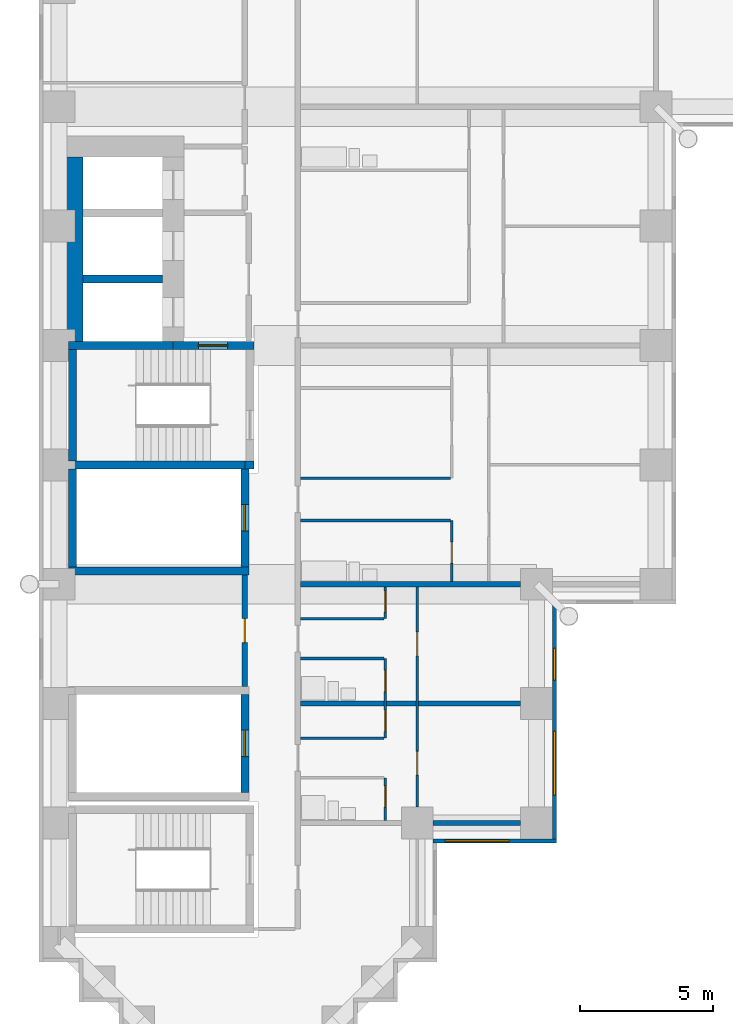
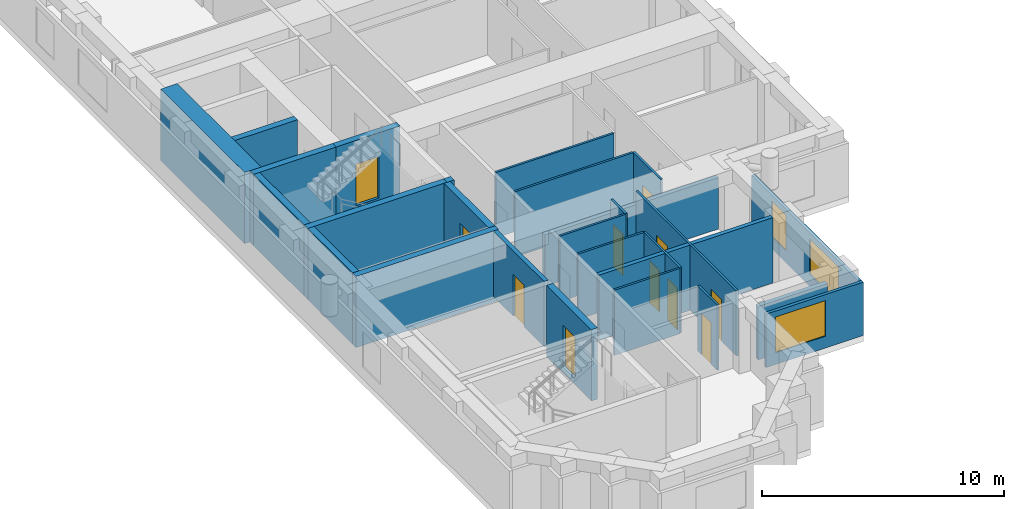
# One storey, part 4 of 14: 27 walls, 11 doors, 3 windows, 14 openings.
"""IFC4 building model written with IfcOpenShell, lengths in metres."""

from ifc_helpers import new_model, si_unit, direction, frame, frame_2d, origin, place, context, subcontext, project, spatial, rectangle, extrude, material, layer, layer_set, type_object, element, fill, save


model = new_model("IFC4")

# Units and contexts
model_context = context("Model", 3, precision=1e-05, world=origin(), true_north=direction((0.0, 1.0)))
body_context = subcontext(model_context, "Body", "Model", "MODEL_VIEW")
ifc_project = project(units=[si_unit("LENGTHUNIT", "METRE"), si_unit("AREAUNIT", "SQUARE_METRE"), si_unit("VOLUMEUNIT", "CUBIC_METRE"), si_unit("PLANEANGLEUNIT", "RADIAN"), si_unit("MASSUNIT", "GRAM", prefix="KILO")], contexts=[model_context])

# Site, building, storey
site_placement = place(None, origin())
site = spatial("IfcSite", under=ifc_project, at=site_placement, CompositionType="ELEMENT")
building_placement = place(site_placement, origin())
building = spatial("IfcBuilding", under=site, at=building_placement, Name="Firuza Court", CompositionType="ELEMENT")
storey_placement = place(building_placement, frame((0.0, 0.0, 68.60009765625)))
storey = spatial("IfcBuildingStorey", under=building, at=storey_placement, Name="L16", CompositionType="ELEMENT", Elevation=68.60009765625)

# Walls
ifc_material_1 = material(Name="Moisture-resistant gypsum board partition")
ifc_layer_1 = layer(ifc_material_1, 0.10009765625)
ifc_layer_set_1 = layer_set([ifc_layer_1], Name="Moisture-resistant gypsum board partition")
wall_type_1 = type_object("IfcWallType", Name="Bathroom partition 100", PredefinedType="PLUMBINGWALL", material=ifc_layer_set_1)
wall_1_placement = place(storey_placement, frame((9.10009765625, 15.199951171875, 0.0), z_axis=(0.0, 0.0, 1.0), x_axis=(1.0, 0.0, 0.0)))
element("IfcWall", 1, at=wall_1_placement, inside=storey, type_object=wall_type_1, Name="Bathroom partition 100 L16", PredefinedType="PLUMBINGWALL", context=body_context, shape_type="SweptSolid", body=[
    extrude(rectangle(XDim=3.14990234375, YDim=0.10009765625, at=frame_2d((1.574951171875, 0.0))), origin(), (0.0, 0.0, 1.0), 3.2998046875),
])
wall_2_placement = place(storey_placement, frame((9.10009765625, 20.39990234375, 0.0), z_axis=(0.0, 0.0, 1.0), x_axis=(1.0, 0.0, 0.0)))
element("IfcWall", 2, at=wall_2_placement, inside=storey, type_object=wall_type_1, Name="Bathroom partition 100 L16", PredefinedType="PLUMBINGWALL", context=body_context, shape_type="SweptSolid", body=[
    extrude(rectangle(XDim=5.64990234375, YDim=0.10009765625, at=frame_2d((2.824951171875, 0.0))), origin(), (0.0, 0.0, 1.0), 3.2998046875),
])
ifc_material_2 = material(Name="Concrete C60/75", Category="concrete")
ifc_layer_2 = layer(ifc_material_2, 0.300048828125)
ifc_layer_set_2 = layer_set([ifc_layer_2], Name="Concrete C60/75")
wall_type_2 = type_object("IfcWallType", Name="Core wall 300 C60/75", PredefinedType="SHEAR", material=ifc_layer_set_2)
wall_3_placement = place(storey_placement, frame((0.35009765625, 18.5, -0.300048828125), z_axis=(0.0, 0.0, 1.0), x_axis=(1.0, 0.0, 0.0)))
element("IfcWall", 3, at=wall_3_placement, inside=storey, type_object=wall_type_2, Name="Core wall riser L16", PredefinedType="SHEAR", context=body_context, shape_type="SweptSolid", body=[
    extrude(rectangle(XDim=6.7998046875, YDim=0.300048828125, at=frame_2d((3.39990234375, 0.0))), origin(), (0.0, 0.0, 1.0), 3.599853515625),
])
wall_4_placement = place(storey_placement, frame((0.35009765625, 22.5, -0.300048828125), z_axis=(0.0, 0.0, 1.0), x_axis=(1.0, 0.0, 0.0)))
element("IfcWall", 4, at=wall_4_placement, inside=storey, type_object=wall_type_2, Name="Core wall riser L16", PredefinedType="SHEAR", context=body_context, shape_type="SweptSolid", body=[
    extrude(rectangle(XDim=6.64990234375, YDim=0.300048828125, at=frame_2d((3.324951171875, 0.0))), origin(), (0.0, 0.0, 1.0), 3.599853515625),
])
wall_5_placement = place(storey_placement, frame((0.35009765625, 27.0, -0.300048828125), z_axis=(0.0, 0.0, 1.0), x_axis=(1.0, 0.0, 0.0)))
element("IfcWall", 5, at=wall_5_placement, inside=storey, type_object=wall_type_2, Name="Core wall lift shaft L16", PredefinedType="SHEAR", context=body_context, shape_type="SweptSolid", body=[
    extrude(rectangle(XDim=3.949951171875, YDim=0.300048828125, at=frame_2d((1.97509765625, 0.0))), origin(), (0.0, 0.0, 1.0), 3.599853515625),
])
wall_6_placement = place(storey_placement, frame((0.5, 18.64990234375, -0.300048828125), z_axis=(0.0, 0.0, 1.0), x_axis=(0.0, 1.0, 0.0)))
element("IfcWall", 6, at=wall_6_placement, inside=storey, type_object=wall_type_2, Name="Core wall riser L16", PredefinedType="SHEAR", context=body_context, shape_type="SweptSolid", body=[
    extrude(rectangle(XDim=3.7001953125, YDim=0.300048828125, at=frame_2d((1.85009765625, 0.0))), origin(), (0.0, 0.0, 1.0), 3.599853515625),
])
wall_7_placement = place(storey_placement, frame((0.5, 22.64990234375, -0.300048828125), z_axis=(0.0, 0.0, 1.0), x_axis=(0.0, 1.0, 0.0)))
element("IfcWall", 7, at=wall_7_placement, inside=storey, type_object=wall_type_2, Name="Core wall stair L16", PredefinedType="SHEAR", context=body_context, shape_type="SweptSolid", body=[
    extrude(rectangle(XDim=4.2001953125, YDim=0.300048828125, at=frame_2d((2.10009765625, 0.0))), origin(), (0.0, 0.0, 1.0), 3.599853515625),
])
wall_8_placement = place(storey_placement, frame((0.89990234375, 29.5, -0.300048828125), z_axis=(0.0, 0.0, 1.0), x_axis=(1.0, 0.0, 0.0)))
element("IfcWall", 8, at=wall_8_placement, inside=storey, type_object=wall_type_2, Name="Core wall lift shaft L16", PredefinedType="SHEAR", context=body_context, shape_type="SweptSolid", body=[
    extrude(rectangle(XDim=3.0, YDim=0.300048828125, at=frame_2d((1.5, 0.0))), origin(), (0.0, 0.0, 1.0), 3.599853515625),
])

# Wall, opening, door
wall_9_placement = place(storey_placement, frame((4.300048828125, 27.0, -0.300048828125), z_axis=(0.0, 0.0, 1.0), x_axis=(1.0, 0.0, 0.0)))
wall_9 = element("IfcWall", 9, at=wall_9_placement, inside=storey, type_object=wall_type_2, Name="Core wall stair L16", PredefinedType="SHEAR", context=body_context, shape_type="SweptSolid", body=[
    extrude(rectangle(XDim=3.050048828125, YDim=0.300048828125, at=frame_2d((1.52490234375, 0.0))), origin(), (0.0, 0.0, 1.0), 3.599853515625),
])
opening_1_placement = place(wall_9_placement, frame((0.949951171875, 0.0, 0.300048828125)))
opening_1 = element("IfcOpeningElement", 10, at=opening_1_placement, cuts=wall_9, Name="Opening D16014", PredefinedType="OPENING", context=body_context, shape_type="SweptSolid", body=[
    extrude(rectangle(XDim=1.10009765625, YDim=2.10009765625, at=frame_2d((0.550048828125, 1.050048828125))), frame((0.0, 0.162109375, 0.0), z_axis=(0.0, -1.0, 0.0), x_axis=(1.0, 0.0, 0.0)), (0.0, 0.0, 1.0), 0.323974609375),
])
ifc_material_3 = material(Name="Timber door leaf in hardwood frame", Category="wood")
door_type_1 = type_object("IfcDoorType", Name="Stair door 1100", OperationType="SINGLE_SWING_LEFT", PredefinedType="DOOR", material=ifc_material_3)
door_1_placement = place(opening_1_placement, frame((1.10009765625, 0.0, 0.0), z_axis=(0.0, 0.0, 1.0), x_axis=(-1.0, 0.0, 0.0)))
door_1 = element("IfcDoor", 11, at=door_1_placement, inside=storey, type_object=door_type_1, Name="Fire-fighting lobby door", OperationType="SINGLE_SWING_LEFT", OverallHeight=2.10009765625, OverallWidth=1.10009765625, PredefinedType="DOOR", context=body_context, shape_type="SweptSolid", body=[
    extrude(rectangle(XDim=1.10009765625, YDim=2.10009765625, at=frame_2d((0.550048828125, 1.050048828125))), frame((0.0, 0.02490234375, 0.0), z_axis=(0.0, -1.0, 0.0), x_axis=(1.0, 0.0, 0.0)), (0.0, 0.0, 1.0), 0.050048828125),
])
fill(opening_1, door_1)

wall_10_placement = place(storey_placement, frame((7.0, 10.14990234375, -0.300048828125), z_axis=(0.0, 0.0, 1.0), x_axis=(0.0, 1.0, 0.0)))
wall_10 = element("IfcWall", 12, at=wall_10_placement, inside=storey, type_object=wall_type_2, Name="Core wall riser L16", PredefinedType="SHEAR", context=body_context, shape_type="SweptSolid", body=[
    extrude(rectangle(XDim=3.7001953125, YDim=0.300048828125, at=frame_2d((1.85009765625, 0.0))), origin(), (0.0, 0.0, 1.0), 3.599853515625),
])
opening_2_placement = place(wall_10_placement, frame((1.35009765625, 0.0, 0.300048828125)))
opening_2 = element("IfcOpeningElement", 13, at=opening_2_placement, cuts=wall_10, Name="Opening D16012", PredefinedType="OPENING", context=body_context, shape_type="SweptSolid", body=[
    extrude(rectangle(XDim=1.0, YDim=2.10009765625, at=frame_2d((0.5, 1.050048828125))), frame((0.0, 0.162109375, 0.0), z_axis=(0.0, -1.0, 0.0), x_axis=(1.0, 0.0, 0.0)), (0.0, 0.0, 1.0), 0.323974609375),
])
ifc_material_4 = material(Name="Timber door leaf in hardwood frame", Category="wood")
door_type_2 = type_object("IfcDoorType", Name="Riser door 1000", OperationType="SINGLE_SWING_LEFT", PredefinedType="DOOR", material=ifc_material_4)
door_2_placement = place(opening_2_placement, origin())
door_2 = element("IfcDoor", 14, at=door_2_placement, inside=storey, type_object=door_type_2, Name="Riser door R4", OperationType="SINGLE_SWING_LEFT", OverallHeight=2.10009765625, OverallWidth=1.0, PredefinedType="DOOR", context=body_context, shape_type="SweptSolid", body=[
    extrude(rectangle(XDim=1.0, YDim=2.10009765625, at=frame_2d((0.5, 1.050048828125))), frame((0.0, 0.02490234375, 0.0), z_axis=(0.0, -1.0, 0.0), x_axis=(1.0, 0.0, 0.0)), (0.0, 0.0, 1.0), 0.050048828125),
])
fill(opening_2, door_2)

wall_11_placement = place(storey_placement, frame((7.0, 18.64990234375, -0.300048828125), z_axis=(0.0, 0.0, 1.0), x_axis=(0.0, 1.0, 0.0)))
wall_11 = element("IfcWall", 15, at=wall_11_placement, inside=storey, type_object=wall_type_2, Name="Core wall riser L16", PredefinedType="SHEAR", context=body_context, shape_type="SweptSolid", body=[
    extrude(rectangle(XDim=3.7001953125, YDim=0.300048828125, at=frame_2d((1.85009765625, 0.0))), origin(), (0.0, 0.0, 1.0), 3.599853515625),
])
opening_3_placement = place(wall_11_placement, frame((1.35009765625, 0.0, 0.300048828125)))
opening_3 = element("IfcOpeningElement", 16, at=opening_3_placement, cuts=wall_11, Name="Opening D16010", PredefinedType="OPENING", context=body_context, shape_type="SweptSolid", body=[
    extrude(rectangle(XDim=1.0, YDim=2.10009765625, at=frame_2d((0.5, 1.050048828125))), frame((0.0, 0.162109375, 0.0), z_axis=(0.0, -1.0, 0.0), x_axis=(1.0, 0.0, 0.0)), (0.0, 0.0, 1.0), 0.323974609375),
])
door_3_placement = place(opening_3_placement, origin())
door_3 = element("IfcDoor", 17, at=door_3_placement, inside=storey, type_object=door_type_2, Name="Riser door R1", OperationType="SINGLE_SWING_LEFT", OverallHeight=2.10009765625, OverallWidth=1.0, PredefinedType="DOOR", context=body_context, shape_type="SweptSolid", body=[
    extrude(rectangle(XDim=1.0, YDim=2.10009765625, at=frame_2d((0.5, 1.050048828125))), frame((0.0, 0.02490234375, 0.0), z_axis=(0.0, -1.0, 0.0), x_axis=(1.0, 0.0, 0.0)), (0.0, 0.0, 1.0), 0.050048828125),
])
fill(opening_3, door_3)

# Walls
wall_12_placement = place(storey_placement, frame((7.0, 22.5, -0.300048828125), z_axis=(0.0, 0.0, 1.0), x_axis=(1.0, 0.0, 0.0)))
element("IfcWall", 18, at=wall_12_placement, inside=storey, type_object=wall_type_2, Name="Core wall stair L16", PredefinedType="SHEAR", context=body_context, shape_type="SweptSolid", body=[
    extrude(rectangle(XDim=0.35009765625, YDim=0.300048828125, at=frame_2d((0.175048828125, 0.0))), origin(), (0.0, 0.0, 1.0), 3.599853515625),
])
ifc_layer_3 = layer(ifc_material_2, 0.800048828125)
ifc_layer_set_3 = layer_set([ifc_layer_3], Name="Concrete C60/75")
wall_type_3 = type_object("IfcWallType", Name="Core wall 800 C60/75", PredefinedType="SHEAR", material=ifc_layer_set_3)
wall_13_placement = place(storey_placement, frame((0.5, 27.14990234375, -0.300048828125), z_axis=(0.0, 0.0, 1.0), x_axis=(0.0, 1.0, 0.0)))
element("IfcWall", 19, at=wall_13_placement, inside=storey, type_object=wall_type_3, Name="Core wall lift shaft L16", PredefinedType="SHEAR", context=body_context, shape_type="SweptSolid", body=[
    extrude(rectangle(XDim=6.9501953125, YDim=0.800048828125, at=frame_2d((3.47509765625, 0.0))), origin(), (0.0, 0.0, 1.0), 3.599853515625),
])

# Wall, opening, door
ifc_material_5 = material(Name="Blockwork, plastered both sides", Category="masonry")
ifc_layer_4 = layer(ifc_material_5, 0.199951171875)
ifc_layer_set_4 = layer_set([ifc_layer_4], Name="Blockwork, plastered both sides")
wall_type_4 = type_object("IfcWallType", Name="Corridor wall 200", PredefinedType="PARTITIONING", material=ifc_layer_set_4)
wall_14_placement = place(storey_placement, frame((7.0, 14.14990234375, 0.0), z_axis=(0.0, 0.0, 1.0), x_axis=(0.0, 1.0, 0.0)))
wall_14 = element("IfcWall", 20, at=wall_14_placement, inside=storey, type_object=wall_type_4, Name="Corridor wall 200 L16", PredefinedType="PARTITIONING", context=body_context, shape_type="SweptSolid", body=[
    extrude(rectangle(XDim=4.2001953125, YDim=0.199951171875, at=frame_2d((2.10009765625, 0.0))), origin(), (0.0, 0.0, 1.0), 3.2998046875),
])
opening_4_placement = place(wall_14_placement, frame((1.64990234375, 0.0, 0.0)))
opening_4 = element("IfcOpeningElement", 21, at=opening_4_placement, cuts=wall_14, Name="Opening D16030", PredefinedType="OPENING", context=body_context, shape_type="SweptSolid", body=[
    extrude(rectangle(XDim=0.89990234375, YDim=2.10009765625, at=frame_2d((0.449951171875, 1.050048828125))), frame((0.0, 0.11181640625, 0.0), z_axis=(0.0, -1.0, 0.0), x_axis=(1.0, 0.0, 0.0)), (0.0, 0.0, 1.0), 0.223876953125),
])
ifc_material_6 = material(Name="Timber door leaf in hardwood frame", Category="wood")
door_type_3 = type_object("IfcDoorType", Name="Room door 900 EI 30", OperationType="SINGLE_SWING_LEFT", PredefinedType="DOOR", material=ifc_material_6)
door_4_placement = place(opening_4_placement, origin())
door_4 = element("IfcDoor", 22, at=door_4_placement, inside=storey, type_object=door_type_3, Name="Concierge room door", OperationType="SINGLE_SWING_LEFT", OverallHeight=2.10009765625, OverallWidth=0.89990234375, PredefinedType="DOOR", context=body_context, shape_type="SweptSolid", body=[
    extrude(rectangle(XDim=0.89990234375, YDim=2.10009765625, at=frame_2d((0.449951171875, 1.050048828125))), frame((0.0, 0.02490234375, 0.0), z_axis=(0.0, -1.0, 0.0), x_axis=(1.0, 0.0, 0.0)), (0.0, 0.0, 1.0), 0.050048828125),
])
fill(opening_4, door_4)

ifc_material_7 = material(Name="Timber stud partition, plasterboard both sides", Category="wood")
ifc_layer_5 = layer(ifc_material_7, 0.10009765625)
ifc_layer_set_5 = layer_set([ifc_layer_5], Name="Timber stud partition, plasterboard both sides")
wall_type_5 = type_object("IfcWallType", Name="Partition wall 100", PredefinedType="PARTITIONING", material=ifc_layer_set_5)
wall_15_placement = place(storey_placement, frame((12.300048828125, 9.10009765625, 0.0), z_axis=(0.0, 0.0, 1.0), x_axis=(0.0, 1.0, 0.0)))
wall_15 = element("IfcWall", 23, at=wall_15_placement, inside=storey, type_object=wall_type_5, Name="Partition wall 100 L16", PredefinedType="PARTITIONING", context=body_context, shape_type="SweptSolid", body=[
    extrude(rectangle(XDim=1.599853515625, YDim=0.10009765625, at=frame_2d((0.7998046875, 0.0))), origin(), (0.0, 0.0, 1.0), 3.2998046875),
])
opening_5_placement = place(wall_15_placement, frame((0.5, 0.0, 0.0)))
opening_5 = element("IfcOpeningElement", 24, at=opening_5_placement, cuts=wall_15, Name="Opening D16025", PredefinedType="OPENING", context=body_context, shape_type="SweptSolid", body=[
    extrude(rectangle(XDim=0.800048828125, YDim=2.10009765625, at=frame_2d((0.39990234375, 1.050048828125))), frame((0.0, 0.06201171875, 0.0), z_axis=(0.0, -1.0, 0.0), x_axis=(1.0, 0.0, 0.0)), (0.0, 0.0, 1.0), 0.1240234375),
])
ifc_material_8 = material(Name="Timber door leaf in hardwood frame", Category="wood")
door_type_4 = type_object("IfcDoorType", Name="Bathroom door 800", OperationType="SINGLE_SWING_LEFT", PredefinedType="DOOR", material=ifc_material_8)
door_5_placement = place(opening_5_placement, origin())
door_5 = element("IfcDoor", 25, at=door_5_placement, inside=storey, type_object=door_type_4, Name="Bathroom door", OperationType="SINGLE_SWING_RIGHT", OverallHeight=2.10009765625, OverallWidth=0.800048828125, PredefinedType="DOOR", context=body_context, shape_type="SweptSolid", body=[
    extrude(rectangle(XDim=0.800048828125, YDim=2.10009765625, at=frame_2d((0.39990234375, 1.050048828125))), frame((0.0, 0.02490234375, 0.0), z_axis=(0.0, -1.0, 0.0), x_axis=(1.0, 0.0, 0.0)), (0.0, 0.0, 1.0), 0.050048828125),
])
fill(opening_5, door_5)

# Wall, openings, doors
wall_16_placement = place(storey_placement, frame((13.5, 9.60009765625, 0.0), z_axis=(0.0, 0.0, 1.0), x_axis=(0.0, 1.0, 0.0)))
wall_16 = element("IfcWall", 26, at=wall_16_placement, inside=storey, type_object=wall_type_5, Name="Partition wall 100 L16", PredefinedType="PARTITIONING", context=body_context, shape_type="SweptSolid", body=[
    extrude(rectangle(XDim=8.2998046875, YDim=0.10009765625, at=frame_2d((4.14990234375, 0.0))), origin(), (0.0, 0.0, 1.0), 3.2998046875),
])
opening_6_placement = place(wall_16_placement, frame((5.699951171875, 0.0, 0.0)))
opening_6 = element("IfcOpeningElement", 27, at=opening_6_placement, cuts=wall_16, Name="Opening D16026", PredefinedType="OPENING", context=body_context, shape_type="SweptSolid", body=[
    extrude(rectangle(XDim=0.89990234375, YDim=2.10009765625, at=frame_2d((0.449951171875, 1.050048828125))), frame((0.0, 0.06201171875, 0.0), z_axis=(0.0, -1.0, 0.0), x_axis=(1.0, 0.0, 0.0)), (0.0, 0.0, 1.0), 0.1240234375),
])
opening_7_placement = place(wall_16_placement, frame((1.199951171875, 0.0, 0.0)))
opening_7 = element("IfcOpeningElement", 28, at=opening_7_placement, cuts=wall_16, Name="Opening D16027", PredefinedType="OPENING", context=body_context, shape_type="SweptSolid", body=[
    extrude(rectangle(XDim=0.89990234375, YDim=2.10009765625, at=frame_2d((0.449951171875, 1.050048828125))), frame((0.0, 0.06201171875, 0.0), z_axis=(0.0, -1.0, 0.0), x_axis=(1.0, 0.0, 0.0)), (0.0, 0.0, 1.0), 0.1240234375),
])
ifc_material_9 = material(Name="Timber door leaf in hardwood frame", Category="wood")
door_type_5 = type_object("IfcDoorType", Name="Room door 900", OperationType="SINGLE_SWING_LEFT", PredefinedType="DOOR", material=ifc_material_9)
door_6_placement = place(opening_6_placement, frame((0.89990234375, 0.0, 0.0), z_axis=(0.0, 0.0, 1.0), x_axis=(-1.0, 0.0, 0.0)))
door_6 = element("IfcDoor", 29, at=door_6_placement, inside=storey, type_object=door_type_5, Name="Studio room door", OperationType="SINGLE_SWING_RIGHT", OverallHeight=2.10009765625, OverallWidth=0.89990234375, PredefinedType="DOOR", context=body_context, shape_type="SweptSolid", body=[
    extrude(rectangle(XDim=0.89990234375, YDim=2.10009765625, at=frame_2d((0.449951171875, 1.050048828125))), frame((0.0, 0.02490234375, 0.0), z_axis=(0.0, -1.0, 0.0), x_axis=(1.0, 0.0, 0.0)), (0.0, 0.0, 1.0), 0.050048828125),
])
fill(opening_6, door_6)
door_7_placement = place(opening_7_placement, frame((0.89990234375, 0.0, 0.0), z_axis=(0.0, 0.0, 1.0), x_axis=(-1.0, 0.0, 0.0)))
door_7 = element("IfcDoor", 30, at=door_7_placement, inside=storey, type_object=door_type_5, Name="Studio room door", OperationType="SINGLE_SWING_RIGHT", OverallHeight=2.10009765625, OverallWidth=0.89990234375, PredefinedType="DOOR", context=body_context, shape_type="SweptSolid", body=[
    extrude(rectangle(XDim=0.89990234375, YDim=2.10009765625, at=frame_2d((0.449951171875, 1.050048828125))), frame((0.0, 0.02490234375, 0.0), z_axis=(0.0, -1.0, 0.0), x_axis=(1.0, 0.0, 0.0)), (0.0, 0.0, 1.0), 0.050048828125),
])
fill(opening_7, door_7)

# Wall
wall_17_placement = place(storey_placement, frame((9.10009765625, 12.199951171875, 0.0), z_axis=(0.0, 0.0, 1.0), x_axis=(1.0, 0.0, 0.0)))
element("IfcWall", 31, at=wall_17_placement, inside=storey, type_object=wall_type_5, Name="Partition wall 100 L16", PredefinedType="PARTITIONING", context=body_context, shape_type="SweptSolid", body=[
    extrude(rectangle(XDim=3.14990234375, YDim=0.10009765625, at=frame_2d((1.574951171875, 0.0))), origin(), (0.0, 0.0, 1.0), 3.2998046875),
])

# Wall, openings, doors
wall_18_placement = place(storey_placement, frame((12.300048828125, 12.199951171875, 0.0), z_axis=(0.0, 0.0, 1.0), x_axis=(0.0, 1.0, 0.0)))
wall_18 = element("IfcWall", 32, at=wall_18_placement, inside=storey, type_object=wall_type_5, Name="Partition wall 100 L16", PredefinedType="PARTITIONING", context=body_context, shape_type="SweptSolid", body=[
    extrude(rectangle(XDim=3.0, YDim=0.10009765625, at=frame_2d((1.5, 0.0))), origin(), (0.0, 0.0, 1.0), 3.2998046875),
])
opening_8_placement = place(wall_18_placement, frame((1.75, 0.0, 0.0)))
opening_8 = element("IfcOpeningElement", 33, at=opening_8_placement, cuts=wall_18, Name="Opening D16028", PredefinedType="OPENING", context=body_context, shape_type="SweptSolid", body=[
    extrude(rectangle(XDim=0.800048828125, YDim=2.10009765625, at=frame_2d((0.39990234375, 1.050048828125))), frame((0.0, 0.06201171875, 0.0), z_axis=(0.0, -1.0, 0.0), x_axis=(1.0, 0.0, 0.0)), (0.0, 0.0, 1.0), 0.1240234375),
])
opening_9_placement = place(wall_18_placement, frame((0.25, 0.0, 0.0)))
opening_9 = element("IfcOpeningElement", 34, at=opening_9_placement, cuts=wall_18, Name="Opening D16029", PredefinedType="OPENING", context=body_context, shape_type="SweptSolid", body=[
    extrude(rectangle(XDim=0.800048828125, YDim=2.10009765625, at=frame_2d((0.39990234375, 1.050048828125))), frame((0.0, 0.06201171875, 0.0), z_axis=(0.0, -1.0, 0.0), x_axis=(1.0, 0.0, 0.0)), (0.0, 0.0, 1.0), 0.1240234375),
])
door_8_placement = place(opening_8_placement, origin())
door_8 = element("IfcDoor", 35, at=door_8_placement, inside=storey, type_object=door_type_4, Name="Bathroom door", OperationType="SINGLE_SWING_LEFT", OverallHeight=2.10009765625, OverallWidth=0.800048828125, PredefinedType="DOOR", context=body_context, shape_type="SweptSolid", body=[
    extrude(rectangle(XDim=0.800048828125, YDim=2.10009765625, at=frame_2d((0.39990234375, 1.050048828125))), frame((0.0, 0.02490234375, 0.0), z_axis=(0.0, -1.0, 0.0), x_axis=(1.0, 0.0, 0.0)), (0.0, 0.0, 1.0), 0.050048828125),
])
fill(opening_8, door_8)
ifc_material_10 = material(Name="Timber door leaf in hardwood frame", Category="wood")
door_type_6 = type_object("IfcDoorType", Name="Room door 800", OperationType="SINGLE_SWING_LEFT", PredefinedType="DOOR", material=ifc_material_10)
door_9_placement = place(opening_9_placement, origin())
door_9 = element("IfcDoor", 36, at=door_9_placement, inside=storey, type_object=door_type_6, Name="Kitchen door", OperationType="SINGLE_SWING_LEFT", OverallHeight=2.10009765625, OverallWidth=0.800048828125, PredefinedType="DOOR", context=body_context, shape_type="SweptSolid", body=[
    extrude(rectangle(XDim=0.800048828125, YDim=2.10009765625, at=frame_2d((0.39990234375, 1.050048828125))), frame((0.0, 0.02490234375, 0.0), z_axis=(0.0, -1.0, 0.0), x_axis=(1.0, 0.0, 0.0)), (0.0, 0.0, 1.0), 0.050048828125),
])
fill(opening_9, door_9)

# Wall
wall_19_placement = place(storey_placement, frame((9.10009765625, 16.699951171875, 0.0), z_axis=(0.0, 0.0, 1.0), x_axis=(1.0, 0.0, 0.0)))
element("IfcWall", 37, at=wall_19_placement, inside=storey, type_object=wall_type_5, Name="Partition wall 100 L16", PredefinedType="PARTITIONING", context=body_context, shape_type="SweptSolid", body=[
    extrude(rectangle(XDim=3.14990234375, YDim=0.10009765625, at=frame_2d((1.574951171875, 0.0))), origin(), (0.0, 0.0, 1.0), 3.2998046875),
])

# Wall, opening, door
wall_20_placement = place(storey_placement, frame((12.300048828125, 16.699951171875, 0.0), z_axis=(0.0, 0.0, 1.0), x_axis=(0.0, 1.0, 0.0)))
wall_20 = element("IfcWall", 38, at=wall_20_placement, inside=storey, type_object=wall_type_5, Name="Partition wall 100 L16", PredefinedType="PARTITIONING", context=body_context, shape_type="SweptSolid", body=[
    extrude(rectangle(XDim=1.199951171875, YDim=0.10009765625, at=frame_2d((0.60009765625, 0.0))), origin(), (0.0, 0.0, 1.0), 3.2998046875),
])
opening_10_placement = place(wall_20_placement, frame((0.25, 0.0, 0.0)))
opening_10 = element("IfcOpeningElement", 39, at=opening_10_placement, cuts=wall_20, Name="Opening D16031", PredefinedType="OPENING", context=body_context, shape_type="SweptSolid", body=[
    extrude(rectangle(XDim=0.800048828125, YDim=2.10009765625, at=frame_2d((0.39990234375, 1.050048828125))), frame((0.0, 0.06201171875, 0.0), z_axis=(0.0, -1.0, 0.0), x_axis=(1.0, 0.0, 0.0)), (0.0, 0.0, 1.0), 0.1240234375),
])
door_10_placement = place(opening_10_placement, origin())
door_10 = element("IfcDoor", 40, at=door_10_placement, inside=storey, type_object=door_type_6, Name="Kitchen door", OperationType="SINGLE_SWING_LEFT", OverallHeight=2.10009765625, OverallWidth=0.800048828125, PredefinedType="DOOR", context=body_context, shape_type="SweptSolid", body=[
    extrude(rectangle(XDim=0.800048828125, YDim=2.10009765625, at=frame_2d((0.39990234375, 1.050048828125))), frame((0.0, 0.02490234375, 0.0), z_axis=(0.0, -1.0, 0.0), x_axis=(1.0, 0.0, 0.0)), (0.0, 0.0, 1.0), 0.050048828125),
])
fill(opening_10, door_10)

wall_21_placement = place(storey_placement, frame((14.800048828125, 18.10009765625, 0.0), z_axis=(0.0, 0.0, 1.0), x_axis=(0.0, 1.0, 0.0)))
wall_21 = element("IfcWall", 41, at=wall_21_placement, inside=storey, type_object=wall_type_5, Name="Partition wall 100 L16", PredefinedType="PARTITIONING", context=body_context, shape_type="SweptSolid", body=[
    extrude(rectangle(XDim=2.2998046875, YDim=0.10009765625, at=frame_2d((1.14990234375, 0.0))), origin(), (0.0, 0.0, 1.0), 3.2998046875),
])
opening_11_placement = place(wall_21_placement, frame((0.699951171875, 0.0, 0.0)))
opening_11 = element("IfcOpeningElement", 42, at=opening_11_placement, cuts=wall_21, Name="Opening D16032", PredefinedType="OPENING", context=body_context, shape_type="SweptSolid", body=[
    extrude(rectangle(XDim=0.800048828125, YDim=2.10009765625, at=frame_2d((0.39990234375, 1.050048828125))), frame((0.0, 0.06201171875, 0.0), z_axis=(0.0, -1.0, 0.0), x_axis=(1.0, 0.0, 0.0)), (0.0, 0.0, 1.0), 0.1240234375),
])
door_11_placement = place(opening_11_placement, origin())
door_11 = element("IfcDoor", 43, at=door_11_placement, inside=storey, type_object=door_type_4, Name="Bathroom door", OperationType="SINGLE_SWING_LEFT", OverallHeight=2.10009765625, OverallWidth=0.800048828125, PredefinedType="DOOR", context=body_context, shape_type="SweptSolid", body=[
    extrude(rectangle(XDim=0.800048828125, YDim=2.10009765625, at=frame_2d((0.39990234375, 1.050048828125))), frame((0.0, 0.02490234375, 0.0), z_axis=(0.0, -1.0, 0.0), x_axis=(1.0, 0.0, 0.0)), (0.0, 0.0, 1.0), 0.050048828125),
])
fill(opening_11, door_11)

# Walls
wall_22_placement = place(storey_placement, frame((9.10009765625, 22.0, 0.0), z_axis=(0.0, 0.0, 1.0), x_axis=(1.0, 0.0, 0.0)))
element("IfcWall", 44, at=wall_22_placement, inside=storey, type_object=wall_type_5, Name="Partition wall 100 L16", PredefinedType="PARTITIONING", context=body_context, shape_type="SweptSolid", body=[
    extrude(rectangle(XDim=5.64990234375, YDim=0.10009765625, at=frame_2d((2.824951171875, 0.0))), origin(), (0.0, 0.0, 1.0), 3.2998046875),
])
ifc_layer_6 = layer(ifc_material_5, 0.199951171875)
ifc_layer_set_6 = layer_set([ifc_layer_6], Name="Blockwork, plastered both sides")
wall_type_6 = type_object("IfcWallType", Name="Party wall 200", PredefinedType="PARTITIONING", material=ifc_layer_set_6)
wall_23_placement = place(storey_placement, frame((14.10009765625, 9.0, 0.0), z_axis=(0.0, 0.0, 1.0), x_axis=(1.0, 0.0, 0.0)))
element("IfcWall", 45, at=wall_23_placement, inside=storey, type_object=wall_type_6, Name="Party wall 200 L16", PredefinedType="PARTITIONING", context=body_context, shape_type="SweptSolid", body=[
    extrude(rectangle(XDim=3.2998046875, YDim=0.199951171875, at=frame_2d((1.64990234375, 0.0))), origin(), (0.0, 0.0, 1.0), 2.699951171875),
])
wall_24_placement = place(storey_placement, frame((9.10009765625, 13.5, 0.0), z_axis=(0.0, 0.0, 1.0), x_axis=(1.0, 0.0, 0.0)))
element("IfcWall", 46, at=wall_24_placement, inside=storey, type_object=wall_type_6, Name="Party wall 200 L16", PredefinedType="PARTITIONING", context=body_context, shape_type="SweptSolid", body=[
    extrude(rectangle(XDim=8.2998046875, YDim=0.199951171875, at=frame_2d((4.14990234375, 0.0))), origin(), (0.0, 0.0, 1.0), 3.2998046875),
])
wall_25_placement = place(storey_placement, frame((9.10009765625, 18.0, 0.0), z_axis=(0.0, 0.0, 1.0), x_axis=(1.0, 0.0, 0.0)))
element("IfcWall", 47, at=wall_25_placement, inside=storey, type_object=wall_type_6, Name="Party wall 200 L16", PredefinedType="PARTITIONING", context=body_context, shape_type="SweptSolid", body=[
    extrude(rectangle(XDim=8.2998046875, YDim=0.199951171875, at=frame_2d((4.14990234375, 0.0))), origin(), (0.0, 0.0, 1.0), 2.599853515625),
])

# Wall, opening, window
ifc_material_11 = material(Name="Ceramic tile", Category="ceramic")
ifc_layer_7 = layer(ifc_material_11, 0.02001953125)
ifc_material_12 = material(Name="Mineral wool insulation", Category="insulation")
ifc_layer_8 = layer(ifc_material_12, 0.050048828125)
ifc_material_13 = material(Name="Concrete C40/50 precast", Category="concrete")
ifc_layer_9 = layer(ifc_material_13, 0.080078125)
ifc_layer_set_7 = layer_set([ifc_layer_7, ifc_layer_8, ifc_layer_9], Name="Concrete C40/50 precast")
wall_type_7 = type_object("IfcWallType", Name="Precast cladding wall with turquoise TILE PANEL face 150", PredefinedType="STANDARD", material=ifc_layer_set_7)
wall_26_placement = place(storey_placement, frame((14.10009765625, 8.324951171875, 0.0), z_axis=(0.0, 0.0, 1.0), x_axis=(1.0, 0.0, 0.0)))
wall_26 = element("IfcWall", 48, at=wall_26_placement, inside=storey, type_object=wall_type_7, Name="Facade wall L16 S", PredefinedType="STANDARD", context=body_context, shape_type="SweptSolid", body=[
    extrude(rectangle(XDim=4.64990234375, YDim=0.14990234375, at=frame_2d((2.324951171875, 0.0))), origin(), (0.0, 0.0, 1.0), 2.699951171875),
])
opening_12_placement = place(wall_26_placement, frame((0.449951171875, 0.0, 0.60009765625)))
opening_12 = element("IfcOpeningElement", 49, at=opening_12_placement, cuts=wall_26, Name="Opening W1", PredefinedType="OPENING", context=body_context, shape_type="SweptSolid", body=[
    extrude(rectangle(XDim=2.39990234375, YDim=1.800048828125, at=frame_2d((1.199951171875, 0.89990234375))), frame((0.0, 0.0869140625, 0.0), z_axis=(0.0, -1.0, 0.0), x_axis=(1.0, 0.0, 0.0)), (0.0, 0.0, 1.0), 0.173828125),
])
ifc_material_14 = material(Name="Aluminium frame, triple clear glazing", Category="aluminium")
window_type_1 = type_object("IfcWindowType", Name="Window W1 2400 x 1800", PartitioningType="SINGLE_PANEL", PredefinedType="WINDOW", material=ifc_material_14)
window_1_placement = place(opening_12_placement, origin())
window_1 = element("IfcWindow", 50, at=window_1_placement, inside=storey, type_object=window_type_1, Name="Window L16", OverallHeight=1.800048828125, OverallWidth=2.39990234375, PartitioningType="SINGLE_PANEL", PredefinedType="WINDOW", context=body_context, shape_type="SweptSolid", body=[
    extrude(rectangle(XDim=2.39990234375, YDim=1.800048828125, at=frame_2d((1.199951171875, 0.89990234375))), frame((0.0, 0.030029296875, 0.0), z_axis=(0.0, -1.0, 0.0), x_axis=(1.0, 0.0, 0.0)), (0.0, 0.0, 1.0), 0.06005859375),
])
fill(opening_12, window_1)

# Wall, openings, windows
wall_27_placement = place(storey_placement, frame((18.675048828125, 8.39990234375, 0.0), z_axis=(0.0, 0.0, 1.0), x_axis=(0.0, 1.0, 0.0)))
wall_27 = element("IfcWall", 51, at=wall_27_placement, inside=storey, type_object=wall_type_7, Name="Facade wall L16 E", PredefinedType="STANDARD", context=body_context, shape_type="SweptSolid", body=[
    extrude(rectangle(XDim=8.85009765625, YDim=0.14990234375, at=frame_2d((4.425048828125, 0.0))), origin(), (0.0, 0.0, 1.0), 2.699951171875),
])
opening_13_placement = place(wall_27_placement, frame((1.64990234375, 0.0, 0.60009765625)))
opening_13 = element("IfcOpeningElement", 52, at=opening_13_placement, cuts=wall_27, Name="Opening W1", PredefinedType="OPENING", context=body_context, shape_type="SweptSolid", body=[
    extrude(rectangle(XDim=2.39990234375, YDim=1.800048828125, at=frame_2d((1.199951171875, 0.89990234375))), frame((0.0, 0.0869140625, 0.0), z_axis=(0.0, -1.0, 0.0), x_axis=(1.0, 0.0, 0.0)), (0.0, 0.0, 1.0), 0.173828125),
])
opening_14_placement = place(wall_27_placement, frame((5.982177734375, 0.0, 0.60009765625)))
opening_14 = element("IfcOpeningElement", 53, at=opening_14_placement, cuts=wall_27, Name="Opening W8", PredefinedType="OPENING", context=body_context, shape_type="SweptSolid", body=[
    extrude(rectangle(XDim=1.199951171875, YDim=1.800048828125, at=frame_2d((0.60009765625, 0.89990234375))), frame((0.0, 0.0869140625, 0.0), z_axis=(0.0, -1.0, 0.0), x_axis=(1.0, 0.0, 0.0)), (0.0, 0.0, 1.0), 0.173828125),
])
window_2_placement = place(opening_13_placement, origin())
window_2 = element("IfcWindow", 54, at=window_2_placement, inside=storey, type_object=window_type_1, Name="Window L16", OverallHeight=1.800048828125, OverallWidth=2.39990234375, PartitioningType="SINGLE_PANEL", PredefinedType="WINDOW", context=body_context, shape_type="SweptSolid", body=[
    extrude(rectangle(XDim=2.39990234375, YDim=1.800048828125, at=frame_2d((1.199951171875, 0.89990234375))), frame((0.0, 0.030029296875, 0.0), z_axis=(0.0, -1.0, 0.0), x_axis=(1.0, 0.0, 0.0)), (0.0, 0.0, 1.0), 0.06005859375),
])
fill(opening_13, window_2)
ifc_material_15 = material(Name="Aluminium frame, triple clear glazing", Category="aluminium")
window_type_2 = type_object("IfcWindowType", Name="Window W8 1200 x 1800", PartitioningType="SINGLE_PANEL", PredefinedType="WINDOW", material=ifc_material_15)
window_3_placement = place(opening_14_placement, origin())
window_3 = element("IfcWindow", 55, at=window_3_placement, inside=storey, type_object=window_type_2, Name="Window L16", OverallHeight=1.800048828125, OverallWidth=1.199951171875, PartitioningType="SINGLE_PANEL", PredefinedType="WINDOW", context=body_context, shape_type="SweptSolid", body=[
    extrude(rectangle(XDim=1.199951171875, YDim=1.800048828125, at=frame_2d((0.60009765625, 0.89990234375))), frame((0.0, 0.030029296875, 0.0), z_axis=(0.0, -1.0, 0.0), x_axis=(1.0, 0.0, 0.0)), (0.0, 0.0, 1.0), 0.06005859375),
])
fill(opening_14, window_3)

save(model, "model.ifc")
